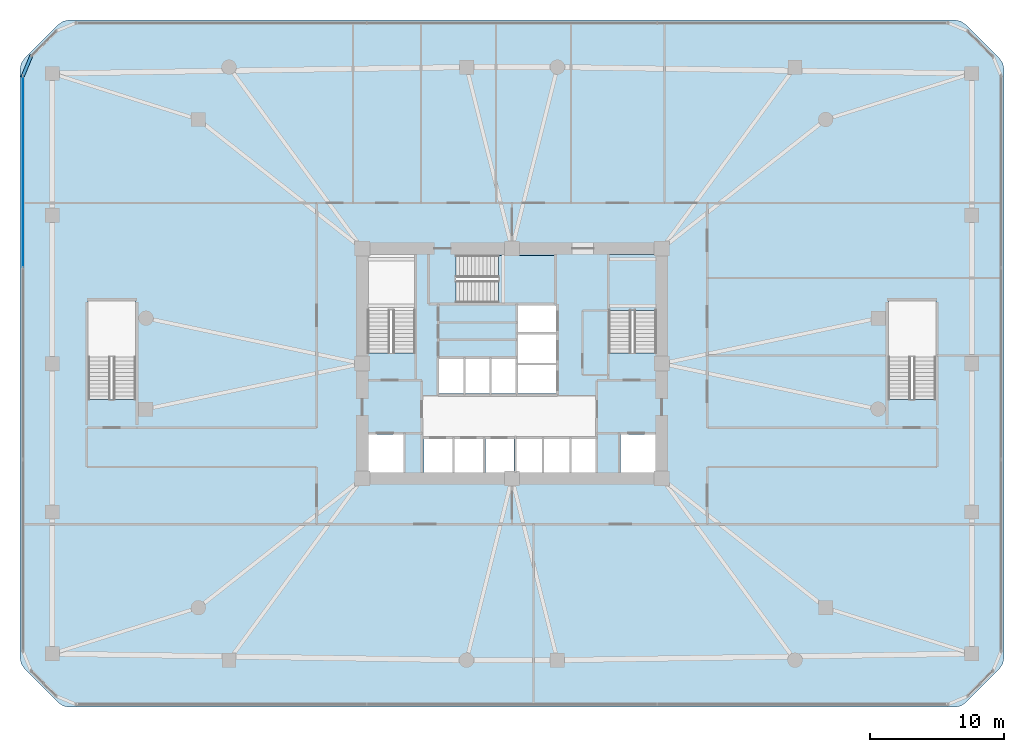
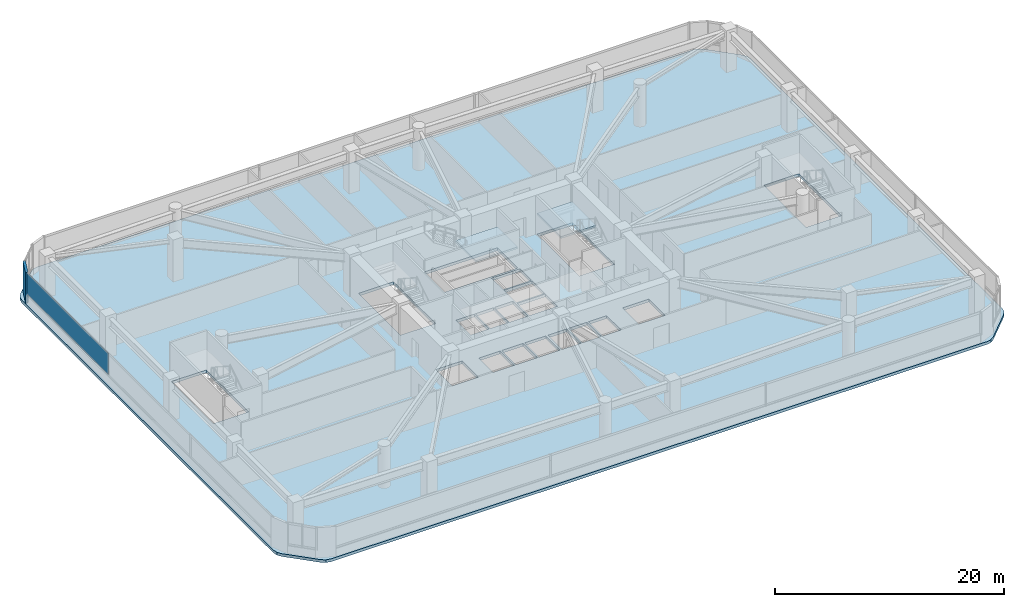
# One storey, part 13 of 21: 3 slabs, 2 plates, 3 elements without a shape of their own.
"""IFC4 building model written with IfcOpenShell, lengths in metres."""

from ifc_helpers import new_model, si_unit, derived_unit, direction, frame, origin, origin_2d, place, context, subcontext, project, spatial, polyline, rectangle, outline, extrude, material, layer, layer_set, type_object, element, aggregate, save


model = new_model("IFC4")

# Units and contexts
model_context = context("Model", 3, precision=1e-05, world=origin(), true_north=direction((0.0, 1.0)))
body_context = subcontext(model_context, "Body", "Model", "MODEL_VIEW")
ifc_project = project(units=[si_unit("LENGTHUNIT", "METRE"), si_unit("AREAUNIT", "SQUARE_METRE"), si_unit("VOLUMEUNIT", "CUBIC_METRE"), si_unit("PLANEANGLEUNIT", "RADIAN"), si_unit("MASSUNIT", "GRAM", prefix="KILO"), derived_unit("THERMALTRANSMITTANCEUNIT", [(si_unit("POWERUNIT", "WATT"), 1), (si_unit("LENGTHUNIT", "METRE"), -2), (si_unit("THERMODYNAMICTEMPERATUREUNIT", "KELVIN"), -1)])], contexts=[model_context])

# Site, building, storey
site_placement = place(None, origin())
site = spatial("IfcSite", under=ifc_project, at=site_placement, CompositionType="ELEMENT")
building_placement = place(site_placement, origin())
building = spatial("IfcBuilding", under=site, at=building_placement, Name="Koralith Skygarden Medical Center", CompositionType="ELEMENT")
storey_placement = place(building_placement, frame((0.0, 0.0, 14.39990234375)))
storey = spatial("IfcBuildingStorey", under=building, at=storey_placement, Name="L03", CompositionType="ELEMENT", Elevation=14.39990234375)

# Curtain wall, plate
ifc_material_1 = material(Name="Clear Laminated Glass", Category="glass")
curtain_wall_type = type_object("IfcCurtainWallType", Name="CW-1 Transit & Podium Acoustic Curtain Wall", PredefinedType="NOTDEFINED", material=ifc_material_1)
curtain_wall_placement = place(storey_placement, origin())
curtain_wall = element("IfcCurtainWall", 1, at=curtain_wall_placement, inside=storey, type_object=curtain_wall_type, Name="Curtain Wall CW-L03-W", PredefinedType="NOTDEFINED")
ifc_layer_1 = layer(ifc_material_1, 0.030029296875)
ifc_layer_set_1 = layer_set([ifc_layer_1], Name="Clear Laminated Glass")
plate_type_1 = type_object("IfcPlateType", Name="CW-1 Hurricane Laminated IGU Panel 30", PredefinedType="CURTAIN_PANEL", material=ifc_layer_set_1)
plate_1_placement = place(storey_placement, frame((0.419921875, 40.2470703125, 0.920166015625), z_axis=(0.0, 0.0, 1.0), x_axis=(0.0, -1.0, 0.0)))
plate_1 = element("IfcPlate", 2, at=plate_1_placement, type_object=plate_type_1, Name="CW-L03-W Glazed Panel 1", PredefinedType="CURTAIN_PANEL", context=body_context, shape_type="SweptSolid", body=[
    extrude(rectangle(XDim=14.257080078125, YDim=0.030029296875, at=origin_2d()), origin(), (0.0, 0.0, 1.0), 2.25),
])
aggregate(curtain_wall, [plate_1])

# Stair, slab
ifc_material_2 = material(Name="Concrete C45/55", Category="concrete")
stair_type = type_object("IfcStairType", Name="Core Exit Dogleg Concrete Stair", PredefinedType="HALF_TURN_STAIR", material=ifc_material_2)
stair_1_placement = place(storey_placement, origin())
stair_1 = element("IfcStair", 3, at=stair_1_placement, inside=storey, type_object=stair_type, Name="L03 Smokeproof Exit Stair ST2", PredefinedType="HALF_TURN_STAIR")
ifc_layer_2 = layer(ifc_material_2, 0.199951171875)
ifc_layer_set_2 = layer_set([ifc_layer_2], Name="Concrete C45/55")
slab_type_1 = type_object("IfcSlabType", Name="Core Exit Concrete Stair Landing 200", PredefinedType="LANDING", material=ifc_layer_set_2)
slab_1_placement = place(storey_placement, frame((0.0, 0.0, 2.050048828125)))
slab_1 = element("IfcSlab", 4, at=slab_1_placement, type_object=slab_type_1, Name="ST2 landing 1", PredefinedType="LANDING", context=body_context, shape_type="SweptSolid", body=[
    extrude(outline(polyline([(47.800048828125, 29.889892578125), (47.800048828125, 34.050048828125), (44.25, 34.050048828125), (44.25, 29.889892578125), (47.800048828125, 29.889892578125)])), origin(), (0.0, 0.0, 1.0), 0.199951171875),
])
aggregate(stair_1, [slab_1])

stair_2_placement = place(storey_placement, origin())
stair_2 = element("IfcStair", 5, at=stair_2_placement, inside=storey, type_object=stair_type, Name="L03 Smokeproof Exit Stair ST3", PredefinedType="HALF_TURN_STAIR")
slab_2_placement = place(storey_placement, frame((0.0, 0.0, 2.050048828125)))
slab_2 = element("IfcSlab", 6, at=slab_2_placement, type_object=slab_type_1, Name="ST3 landing 1", PredefinedType="LANDING", context=body_context, shape_type="SweptSolid", body=[
    extrude(outline(polyline([(35.989990234375, 30.449951171875), (40.199951171875, 30.449951171875), (40.199951171875, 34.0), (35.989990234375, 34.0), (35.989990234375, 30.449951171875)])), origin(), (0.0, 0.0, 1.0), 0.199951171875),
])
aggregate(stair_2, [slab_2])

# Slab
ifc_layer_3 = layer(ifc_material_2, 0.300048828125)
ifc_layer_set_3 = layer_set([ifc_layer_3], Name="Concrete C45/55")
slab_type_2 = type_object("IfcSlabType", Name="Podium & Diagnostic Stiffened Slab 300", PredefinedType="FLOOR", material=ifc_layer_set_3)
slab_3_placement = place(storey_placement, frame((0.0, 0.0, -0.2998046875)))
element("IfcSlab", 7, at=slab_3_placement, inside=storey, type_object=slab_type_2, Name="Level L03 Structural Floor Slab", PredefinedType="FLOOR", context=body_context, shape_type="SweptSolid", body=[
    extrude(outline(polyline([(3.049072265625, 0.551025390625), (3.43798828125, 0.291015625), (3.89697265625, 0.199951171875), (70.10302734375, 0.199951171875), (70.56201171875, 0.291015625), (70.950927734375, 0.551025390625), (73.448974609375, 3.049072265625), (73.708984375, 3.43798828125), (73.800048828125, 3.89697265625), (73.800048828125, 47.903076171875), (73.708984375, 48.362060546875), (73.448974609375, 48.7509765625), (70.950927734375, 51.2490234375), (70.56201171875, 51.509033203125), (70.10302734375, 51.60009765625), (3.89697265625, 51.60009765625), (3.43798828125, 51.509033203125), (3.049072265625, 51.2490234375), (0.551025390625, 48.7509765625), (0.291015625, 48.362060546875), (0.199951171875, 47.903076171875), (0.199951171875, 3.89697265625), (0.291015625, 3.43798828125), (0.551025390625, 3.049072265625), (3.049072265625, 0.551025390625)]), holes=[polyline([(26.199951171875, 26.705078125), (29.75, 26.705078125), (29.75, 34.050048828125), (26.199951171875, 34.050048828125), (26.199951171875, 26.705078125)]), polyline([(44.25, 26.705078125), (47.800048828125, 26.705078125), (47.800048828125, 34.050048828125), (44.25, 34.050048828125), (44.25, 26.705078125)]), polyline([(32.804931640625, 30.449951171875), (40.199951171875, 30.449951171875), (40.199951171875, 34.0), (32.804931640625, 34.0), (32.804931640625, 30.449951171875)]), polyline([(5.300048828125, 23.205078125), (8.85009765625, 23.205078125), (8.85009765625, 30.60009765625), (5.300048828125, 30.60009765625), (5.300048828125, 23.205078125)]), polyline([(65.14990234375, 23.205078125), (68.699951171875, 23.205078125), (68.699951171875, 30.60009765625), (65.14990234375, 30.60009765625), (65.14990234375, 23.205078125)]), polyline([(26.25, 17.75), (28.89990234375, 17.75), (28.89990234375, 20.60009765625), (26.25, 20.60009765625), (26.25, 17.75)]), polyline([(45.10009765625, 17.75), (47.75, 17.75), (47.75, 20.60009765625), (45.10009765625, 20.60009765625), (45.10009765625, 17.75)]), polyline([(30.39990234375, 17.75), (32.550048828125, 17.75), (32.550048828125, 20.25), (30.39990234375, 20.25), (30.39990234375, 17.75)]), polyline([(32.699951171875, 17.75), (34.85009765625, 17.75), (34.85009765625, 20.25), (32.699951171875, 20.25), (32.699951171875, 17.75)]), polyline([(35.0, 17.75), (37.14990234375, 17.75), (37.14990234375, 20.25), (35.0, 20.25), (35.0, 17.75)]), polyline([(37.35009765625, 17.75), (39.25, 17.75), (39.25, 20.25), (37.35009765625, 20.25), (37.35009765625, 17.75)]), polyline([(39.39990234375, 17.75), (41.300048828125, 17.75), (41.300048828125, 20.25), (39.39990234375, 20.25), (39.39990234375, 17.75)]), polyline([(41.449951171875, 17.75), (43.300048828125, 17.75), (43.300048828125, 20.25), (41.449951171875, 20.25), (41.449951171875, 17.75)]), polyline([(31.550048828125, 23.64990234375), (33.39990234375, 23.64990234375), (33.39990234375, 26.25), (31.550048828125, 26.25), (31.550048828125, 23.64990234375)]), polyline([(33.5, 23.64990234375), (35.35009765625, 23.64990234375), (35.35009765625, 26.25), (33.5, 26.25), (33.5, 23.64990234375)]), polyline([(35.449951171875, 23.64990234375), (37.300048828125, 23.64990234375), (37.300048828125, 26.25), (35.449951171875, 26.25), (35.449951171875, 23.64990234375)]), polyline([(37.449951171875, 23.64990234375), (40.300048828125, 23.64990234375), (40.300048828125, 25.800048828125), (37.449951171875, 25.800048828125), (37.449951171875, 23.64990234375)]), polyline([(37.449951171875, 25.949951171875), (40.300048828125, 25.949951171875), (40.300048828125, 28.10009765625), (37.449951171875, 28.10009765625), (37.449951171875, 25.949951171875)]), polyline([(37.449951171875, 28.25), (40.300048828125, 28.25), (40.300048828125, 30.25), (37.449951171875, 30.25), (37.449951171875, 28.25)])]), origin(), (0.0, 0.0, 1.0), 0.2998046875),
])

# Plate
ifc_material_3 = material(Name="Warm Oolitic Limestone Cladding", Category="masonry")
ifc_layer_4 = layer(ifc_material_3, 0.239990234375)
ifc_layer_set_4 = layer_set([ifc_layer_4], Name="Warm Oolitic Limestone Cladding")
plate_type_2 = type_object("IfcPlateType", Name="Rounded-Corner Oolitic Limestone Cladding Panel 240", PredefinedType="USERDEFINED", material=ifc_layer_set_4)
plate_2_placement = place(storey_placement, frame((0.719970703125, 48.14697265625, 0.0), z_axis=(0.0, 0.0, 1.0), x_axis=(-0.382670532536, -0.92388487569, 0.0)))
element("IfcPlate", 8, at=plate_2_placement, inside=storey, type_object=plate_type_2, Name="L03 Rounded-Corner Limestone Pier 6", ObjectType="LIMESTONE CLADDING", PredefinedType="USERDEFINED", context=body_context, shape_type="SweptSolid", body=[
    extrude(rectangle(XDim=1.81103515625, YDim=0.239990234375, at=origin_2d()), origin(), (0.0, 0.0, 1.0), 3.239990234375),
])

save(model, "model.ifc")
